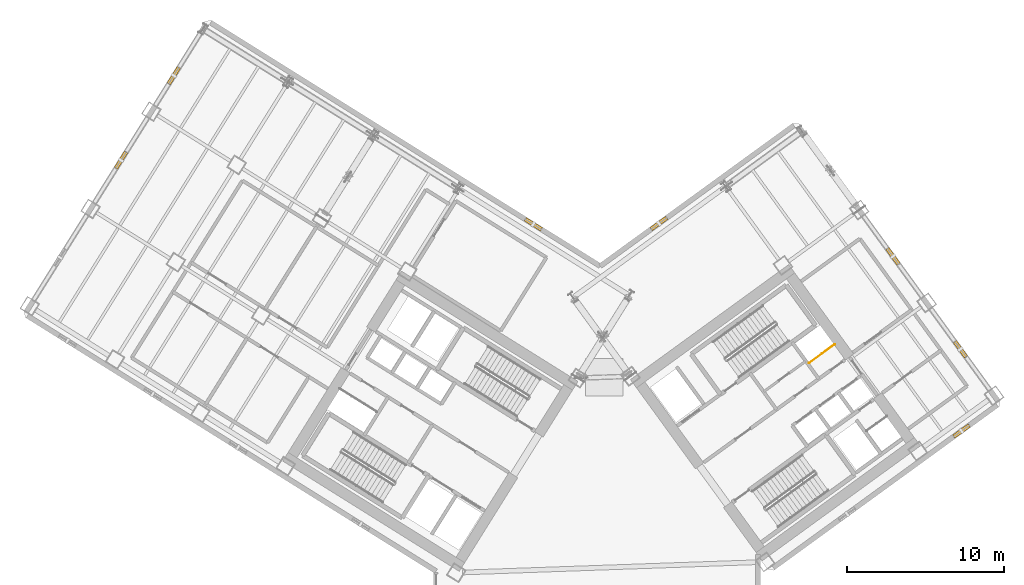
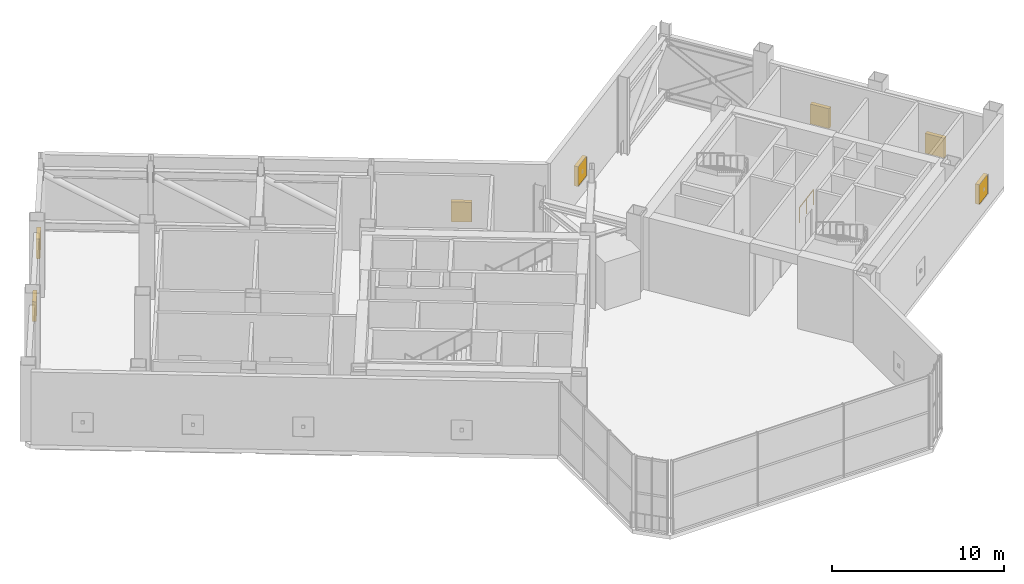
# One storey, part 21 of 21: 7 shading devices, 1 railing.
"""IFC4 building model written with IfcOpenShell, lengths in metres."""

from ifc_helpers import new_model, si_unit, direction, frame, origin, origin_2d, place, context, subcontext, project, spatial, rectangle, extrude, source, transform, mapped, material, type_object, element, save


model = new_model("IFC4")

# Units and contexts
model_context = context("Model", 3, precision=1e-05, world=origin(), true_north=direction((0.0, 1.0)))
body_context = subcontext(model_context, "Body", "Model", "MODEL_VIEW")
ifc_project = project(units=[si_unit("LENGTHUNIT", "METRE"), si_unit("AREAUNIT", "SQUARE_METRE"), si_unit("VOLUMEUNIT", "CUBIC_METRE"), si_unit("PLANEANGLEUNIT", "RADIAN"), si_unit("MASSUNIT", "GRAM", prefix="KILO")], contexts=[model_context])

# Site, building, storey
site_placement = place(None, origin())
site = spatial("IfcSite", under=ifc_project, at=site_placement, CompositionType="ELEMENT")
building_placement = place(site_placement, origin())
building = spatial("IfcBuilding", under=site, at=building_placement, Name="Tlacorven Tower", CompositionType="ELEMENT")
storey_placement = place(building_placement, frame((0.0, 0.0, 84.60009765625)))
storey = spatial("IfcBuildingStorey", under=building, at=storey_placement, Name="L21", CompositionType="ELEMENT", Elevation=84.60009765625)

# Railing
ifc_material_1 = material(Name="Aluminium and painted steel balustrade", Category="steel")
railing_type = type_object("IfcRailingType", Name="RL-GRD-1100", PredefinedType="GUARDRAIL", material=ifc_material_1)
shared_shape_1 = source(origin(), body_context, "Body", "SweptSolid", [
    extrude(rectangle(XDim=0.048095703125, YDim=0.048095703125, at=origin_2d()), frame((0.0, 0.0, 1.076171875), z_axis=(0.808947177504, 0.587881334972, 0.0), x_axis=(-0.587881334972, 0.808947177504, 0.0)), (0.0, 0.0, 1.0), 2.0),
    extrude(rectangle(XDim=0.0419921875, YDim=0.0419921875, at=origin_2d()), origin(), (0.0, 0.0, 1.0), 1.052001953125),
    extrude(rectangle(XDim=0.0419921875, YDim=0.0419921875, at=origin_2d()), frame((0.80908203125, 0.587890625, 0.0)), (0.0, 0.0, 1.0), 1.052001953125),
    extrude(rectangle(XDim=0.0419921875, YDim=0.0419921875, at=origin_2d()), frame((1.617919921875, 1.17578125, 0.0)), (0.0, 0.0, 1.0), 1.052001953125),
])
railing_placement = place(storey_placement, frame((55.506103515625, 25.438232421875, 0.0)))
element("IfcRailing", 1, at=railing_placement, inside=storey, type_object=railing_type, Name="L21 Electrical Riser E Shaft Guard 1", PredefinedType="GUARDRAIL", context=body_context, shape_type="MappedRepresentation", body=[
    mapped(shared_shape_1, transform((0.0, 0.0, 0.0), scale=1.0)),
])

# Shading devices
ifc_material_2 = material(Name="Anodised bronze aluminium acoustic louvre", Category="aluminium")
shading_device_type = type_object("IfcShadingDeviceType", Name="SH-LVR-WND", PredefinedType="JALOUSIE", material=ifc_material_2)
shared_shape_2 = source(origin(), body_context, "Body", "SweptSolid", [
    extrude(rectangle(XDim=1.2099609375, YDim=0.25, at=origin_2d()), origin(), (0.0, 0.0, 1.0), 1.39990234375),
])
for number, where, z_axis, x_axis, name in (
    (2, (11.711181640625, 38.330322265625, 0.949951171875), (0.0, 0.0, 1.0), (0.529919147866, 0.848048168871, 0.0), "L21 Storm-Resistant Acoustic Louvre Bank 2.2"),
    (3, (15.076171875, 43.715576171875, 0.949951171875), (0.0, 0.0, 1.0), (0.529919147866, 0.848048168871, 0.0), "L21 Storm-Resistant Acoustic Louvre Bank 2.3"),
    (4, (37.94970703125, 34.257080078125, 0.949951171875), (0.0, 0.0, 1.0), (0.848048220257, -0.52991906563, 0.0), "L21 Storm-Resistant Acoustic Louvre Bank 3.1"),
    (5, (45.9423828125, 34.311767578125, 0.949951171875), (0.0, 0.0, 1.0), (0.809016703631, 0.587785652468, 0.0), "L21 Storm-Resistant Acoustic Louvre Bank 4.1"),
    (6, (60.83154296875, 32.21240234375, 0.949951171875), (0.0, 0.0, 1.0), (0.587785363163, -0.809016913823, 0.0), "L21 Storm-Resistant Acoustic Louvre Bank 5.1"),
    (7, (65.122314453125, 26.306396484375, 0.949951171875), (0.0, 0.0, 1.0), (0.587785363163, -0.809016913823, 0.0), "L21 Storm-Resistant Acoustic Louvre Bank 5.2"),
    (8, (65.193359375, 21.104736328125, 0.949951171875), (0.0, 0.0, 1.0), (-0.809016829126, -0.587785479738, 0.0), "L21 Storm-Resistant Acoustic Louvre Bank 6.1"),
):
    element("IfcShadingDevice", number, at=place(storey_placement, frame(where, z_axis=z_axis, x_axis=x_axis)), inside=storey, type_object=shading_device_type, Name=name, PredefinedType="JALOUSIE", context=body_context, shape_type="MappedRepresentation", body=[
        mapped(shared_shape_2, transform((0.0, 0.0, 0.0), scale=1.0)),
    ])

save(model, "model.ifc")
